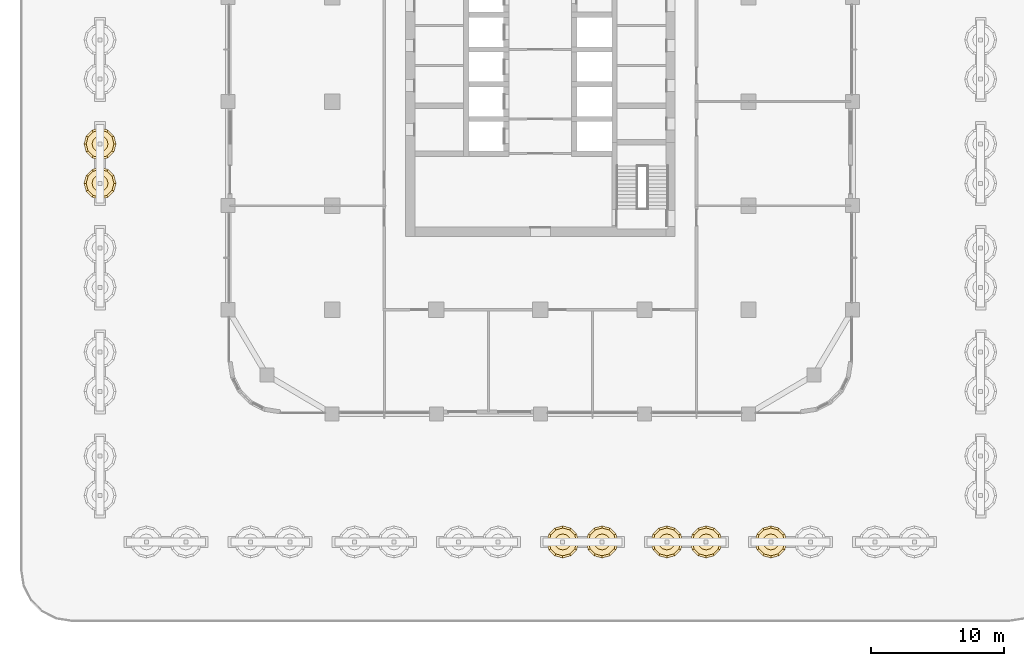
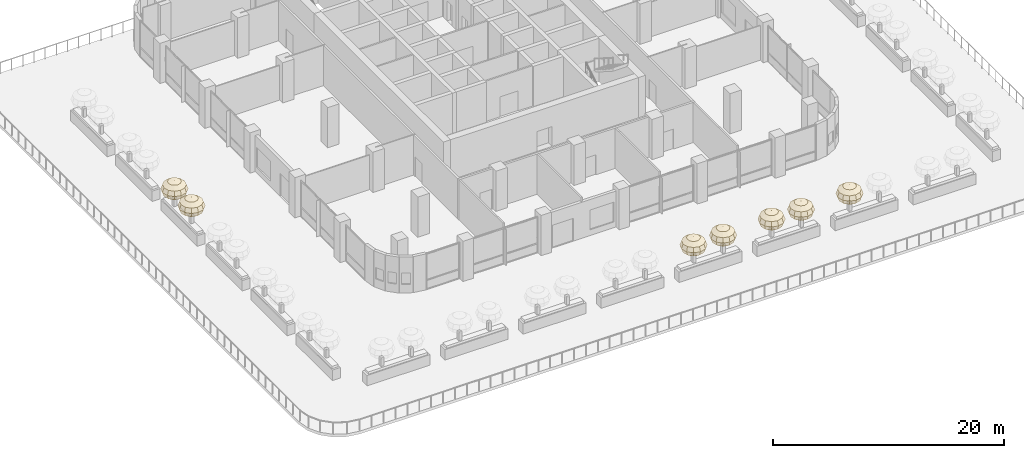
# One storey, part 28 of 31: 7 coverings.
"""IFC4 building model written with IfcOpenShell, lengths in metres."""

from ifc_helpers import new_model, si_unit, direction, frame, origin, place, context, subcontext, project, spatial, triangles, material, layer, layer_set, type_object, element, save


model = new_model("IFC4")

# Units and contexts
model_context = context("Model", 3, precision=1e-05, world=origin(), true_north=direction((0.0, 1.0)))
body_context = subcontext(model_context, "Body", "Model", "MODEL_VIEW")
ifc_project = project(units=[si_unit("LENGTHUNIT", "METRE"), si_unit("AREAUNIT", "SQUARE_METRE"), si_unit("VOLUMEUNIT", "CUBIC_METRE"), si_unit("PLANEANGLEUNIT", "RADIAN"), si_unit("MASSUNIT", "GRAM", prefix="KILO")], contexts=[model_context])

# Site, building, storey
site_placement = place(None, origin())
site = spatial("IfcSite", under=ifc_project, at=site_placement, CompositionType="ELEMENT")
building_placement = place(site_placement, origin())
building = spatial("IfcBuilding", under=site, at=building_placement, Name="Ludao Terraces", CompositionType="ELEMENT")
storey_placement = place(building_placement, frame((0.0, 0.0, 15.0)))
storey = spatial("IfcBuildingStorey", under=building, at=storey_placement, Name="L03", CompositionType="ELEMENT", Elevation=15.0)

# Coverings
ifc_material = material(Name="Planting")
ifc_layer = layer(ifc_material, 2.39990234375)
ifc_layer_set = layer_set([ifc_layer], Name="ENV Terrace tree crown 2400")
covering_type = type_object("IfcCoveringType", Name="ENV Terrace tree crown 2400", PredefinedType="USERDEFINED", material=ifc_layer_set)
covering_1_placement = place(storey_placement, frame((86.675048828125, 32.0, 3.14990234375)))
element("IfcCovering", 1, at=covering_1_placement, inside=storey, type_object=covering_type, Name="Terrace tree crown L03-T5.1", ObjectType="PLANTING", PredefinedType="USERDEFINED", context=body_context, shape_type="Tessellation", body=[
    triangles([(0.0, 0.0, 0.89990234375), (0.599853515625, 0.0, 0.779296875), (0.51953125, 0.300048828125, 0.779296875), (0.300048828125, 0.51953125, 0.779296875), (0.0, 0.599853515625, 0.779296875), (-0.300048828125, 0.51953125, 0.779296875), (-0.51953125, 0.300048828125, 0.779296875), (-0.599853515625, 0.0, 0.779296875), (-0.51953125, -0.300048828125, 0.779296875), (-0.300048828125, -0.51953125, 0.779296875), (0.0, -0.599853515625, 0.779296875), (0.300048828125, -0.51953125, 0.779296875), (0.51953125, -0.300048828125, 0.779296875), (1.039306640625, 0.0, 0.449951171875), (0.89990234375, 0.51953125, 0.449951171875), (0.51953125, 0.89990234375, 0.449951171875), (0.0, 1.039306640625, 0.449951171875), (-0.51953125, 0.89990234375, 0.449951171875), (-0.89990234375, 0.51953125, 0.449951171875), (-1.039306640625, 0.0, 0.449951171875), (-0.89990234375, -0.51953125, 0.449951171875), (-0.51953125, -0.89990234375, 0.449951171875), (0.0, -1.039306640625, 0.449951171875), (0.51953125, -0.89990234375, 0.449951171875), (0.89990234375, -0.51953125, 0.449951171875), (1.199951171875, 0.0, 0.0), (1.039306640625, 0.599853515625, 0.0), (0.60009765625, 1.039306640625, 0.0), (0.0, 1.199951171875, 0.0), (-0.599853515625, 1.039306640625, 0.0), (-1.039306640625, 0.599853515625, 0.0), (-1.199951171875, 0.0, 0.0), (-1.039306640625, -0.599853515625, 0.0), (-0.60009765625, -1.039306640625, 0.0), (0.0, -1.199951171875, 0.0), (0.60009765625, -1.039306640625, 0.0), (1.039306640625, -0.60009765625, 0.0), (1.039306640625, 0.0, -0.449951171875), (0.89990234375, 0.51953125, -0.449951171875), (0.51953125, 0.89990234375, -0.449951171875), (0.0, 1.039306640625, -0.449951171875), (-0.51953125, 0.89990234375, -0.449951171875), (-0.89990234375, 0.51953125, -0.449951171875), (-1.039306640625, 0.0, -0.449951171875), (-0.89990234375, -0.51953125, -0.449951171875), (-0.51953125, -0.89990234375, -0.449951171875), (0.0, -1.039306640625, -0.449951171875), (0.51953125, -0.89990234375, -0.449951171875), (0.89990234375, -0.51953125, -0.449951171875), (0.599853515625, 0.0, -0.779296875), (0.51953125, 0.300048828125, -0.779296875), (0.300048828125, 0.51953125, -0.779296875), (0.0, 0.599853515625, -0.779296875), (-0.300048828125, 0.51953125, -0.779296875), (-0.51953125, 0.300048828125, -0.779296875), (-0.599853515625, 0.0, -0.779296875), (-0.51953125, -0.300048828125, -0.779296875), (-0.300048828125, -0.51953125, -0.779296875), (0.0, -0.599853515625, -0.779296875), (0.300048828125, -0.51953125, -0.779296875), (0.51953125, -0.300048828125, -0.779296875), (0.0, 0.0, -0.89990234375)], [[1, 2, 3], [1, 3, 4], [1, 4, 5], [1, 5, 6], [1, 6, 7], [1, 7, 8], [1, 8, 9], [1, 9, 10], [1, 10, 11], [1, 11, 12], [1, 12, 13], [1, 13, 2], [2, 14, 15], [2, 15, 3], [3, 15, 16], [3, 16, 4], [4, 16, 17], [4, 17, 5], [5, 17, 18], [5, 18, 6], [6, 18, 19], [6, 19, 7], [7, 19, 20], [7, 20, 8], [8, 20, 21], [8, 21, 9], [9, 21, 22], [9, 22, 10], [10, 22, 23], [10, 23, 11], [11, 23, 24], [11, 24, 12], [12, 24, 25], [12, 25, 13], [13, 25, 14], [13, 14, 2], [14, 26, 27], [14, 27, 15], [15, 27, 28], [15, 28, 16], [16, 28, 29], [16, 29, 17], [17, 29, 30], [17, 30, 18], [18, 30, 31], [18, 31, 19], [19, 31, 32], [19, 32, 20], [20, 32, 33], [20, 33, 21], [21, 33, 34], [21, 34, 22], [22, 34, 35], [22, 35, 23], [23, 35, 36], [23, 36, 24], [24, 36, 37], [24, 37, 25], [25, 37, 26], [25, 26, 14], [26, 38, 39], [26, 39, 27], [27, 39, 40], [27, 40, 28], [28, 40, 41], [28, 41, 29], [29, 41, 42], [29, 42, 30], [30, 42, 43], [30, 43, 31], [31, 43, 44], [31, 44, 32], [32, 44, 45], [32, 45, 33], [33, 45, 46], [33, 46, 34], [34, 46, 47], [34, 47, 35], [35, 47, 48], [35, 48, 36], [36, 48, 49], [36, 49, 37], [37, 49, 38], [37, 38, 26], [38, 50, 51], [38, 51, 39], [39, 51, 52], [39, 52, 40], [40, 52, 53], [40, 53, 41], [41, 53, 54], [41, 54, 42], [42, 54, 55], [42, 55, 43], [43, 55, 56], [43, 56, 44], [44, 56, 57], [44, 57, 45], [45, 57, 58], [45, 58, 46], [46, 58, 59], [46, 59, 47], [47, 59, 60], [47, 60, 48], [48, 60, 61], [48, 61, 49], [49, 61, 50], [49, 50, 38], [62, 51, 50], [62, 52, 51], [62, 53, 52], [62, 54, 53], [62, 55, 54], [62, 56, 55], [62, 57, 56], [62, 58, 57], [62, 59, 58], [62, 60, 59], [62, 61, 60], [62, 50, 61]], closed=True),
])
covering_2_placement = place(storey_placement, frame((89.625, 32.0, 3.14990234375)))
element("IfcCovering", 2, at=covering_2_placement, inside=storey, type_object=covering_type, Name="Terrace tree crown L03-T5.2", ObjectType="PLANTING", PredefinedType="USERDEFINED", context=body_context, shape_type="Tessellation", body=[
    triangles([(0.0, 0.0, 0.89990234375), (0.599853515625, 0.0, 0.779296875), (0.51953125, 0.300048828125, 0.779296875), (0.300048828125, 0.51953125, 0.779296875), (0.0, 0.599853515625, 0.779296875), (-0.300048828125, 0.51953125, 0.779296875), (-0.51953125, 0.300048828125, 0.779296875), (-0.599853515625, 0.0, 0.779296875), (-0.51953125, -0.300048828125, 0.779296875), (-0.300048828125, -0.51953125, 0.779296875), (0.0, -0.599853515625, 0.779296875), (0.300048828125, -0.51953125, 0.779296875), (0.51953125, -0.300048828125, 0.779296875), (1.039306640625, 0.0, 0.449951171875), (0.89990234375, 0.51953125, 0.449951171875), (0.51953125, 0.89990234375, 0.449951171875), (0.0, 1.039306640625, 0.449951171875), (-0.51953125, 0.89990234375, 0.449951171875), (-0.89990234375, 0.51953125, 0.449951171875), (-1.039306640625, 0.0, 0.449951171875), (-0.89990234375, -0.51953125, 0.449951171875), (-0.51953125, -0.89990234375, 0.449951171875), (0.0, -1.039306640625, 0.449951171875), (0.51953125, -0.89990234375, 0.449951171875), (0.89990234375, -0.51953125, 0.449951171875), (1.199951171875, 0.0, 0.0), (1.039306640625, 0.599853515625, 0.0), (0.60009765625, 1.039306640625, 0.0), (0.0, 1.199951171875, 0.0), (-0.599853515625, 1.039306640625, 0.0), (-1.039306640625, 0.599853515625, 0.0), (-1.199951171875, 0.0, 0.0), (-1.039306640625, -0.599853515625, 0.0), (-0.60009765625, -1.039306640625, 0.0), (0.0, -1.199951171875, 0.0), (0.60009765625, -1.039306640625, 0.0), (1.039306640625, -0.60009765625, 0.0), (1.039306640625, 0.0, -0.449951171875), (0.89990234375, 0.51953125, -0.449951171875), (0.51953125, 0.89990234375, -0.449951171875), (0.0, 1.039306640625, -0.449951171875), (-0.51953125, 0.89990234375, -0.449951171875), (-0.89990234375, 0.51953125, -0.449951171875), (-1.039306640625, 0.0, -0.449951171875), (-0.89990234375, -0.51953125, -0.449951171875), (-0.51953125, -0.89990234375, -0.449951171875), (0.0, -1.039306640625, -0.449951171875), (0.51953125, -0.89990234375, -0.449951171875), (0.89990234375, -0.51953125, -0.449951171875), (0.599853515625, 0.0, -0.779296875), (0.51953125, 0.300048828125, -0.779296875), (0.300048828125, 0.51953125, -0.779296875), (0.0, 0.599853515625, -0.779296875), (-0.300048828125, 0.51953125, -0.779296875), (-0.51953125, 0.300048828125, -0.779296875), (-0.599853515625, 0.0, -0.779296875), (-0.51953125, -0.300048828125, -0.779296875), (-0.300048828125, -0.51953125, -0.779296875), (0.0, -0.599853515625, -0.779296875), (0.300048828125, -0.51953125, -0.779296875), (0.51953125, -0.300048828125, -0.779296875), (0.0, 0.0, -0.89990234375)], [[1, 2, 3], [1, 3, 4], [1, 4, 5], [1, 5, 6], [1, 6, 7], [1, 7, 8], [1, 8, 9], [1, 9, 10], [1, 10, 11], [1, 11, 12], [1, 12, 13], [1, 13, 2], [2, 14, 15], [2, 15, 3], [3, 15, 16], [3, 16, 4], [4, 16, 17], [4, 17, 5], [5, 17, 18], [5, 18, 6], [6, 18, 19], [6, 19, 7], [7, 19, 20], [7, 20, 8], [8, 20, 21], [8, 21, 9], [9, 21, 22], [9, 22, 10], [10, 22, 23], [10, 23, 11], [11, 23, 24], [11, 24, 12], [12, 24, 25], [12, 25, 13], [13, 25, 14], [13, 14, 2], [14, 26, 27], [14, 27, 15], [15, 27, 28], [15, 28, 16], [16, 28, 29], [16, 29, 17], [17, 29, 30], [17, 30, 18], [18, 30, 31], [18, 31, 19], [19, 31, 32], [19, 32, 20], [20, 32, 33], [20, 33, 21], [21, 33, 34], [21, 34, 22], [22, 34, 35], [22, 35, 23], [23, 35, 36], [23, 36, 24], [24, 36, 37], [24, 37, 25], [25, 37, 26], [25, 26, 14], [26, 38, 39], [26, 39, 27], [27, 39, 40], [27, 40, 28], [28, 40, 41], [28, 41, 29], [29, 41, 42], [29, 42, 30], [30, 42, 43], [30, 43, 31], [31, 43, 44], [31, 44, 32], [32, 44, 45], [32, 45, 33], [33, 45, 46], [33, 46, 34], [34, 46, 47], [34, 47, 35], [35, 47, 48], [35, 48, 36], [36, 48, 49], [36, 49, 37], [37, 49, 38], [37, 38, 26], [38, 50, 51], [38, 51, 39], [39, 51, 52], [39, 52, 40], [40, 52, 53], [40, 53, 41], [41, 53, 54], [41, 54, 42], [42, 54, 55], [42, 55, 43], [43, 55, 56], [43, 56, 44], [44, 56, 57], [44, 57, 45], [45, 57, 58], [45, 58, 46], [46, 58, 59], [46, 59, 47], [47, 59, 60], [47, 60, 48], [48, 60, 61], [48, 61, 49], [49, 61, 50], [49, 50, 38], [62, 51, 50], [62, 52, 51], [62, 53, 52], [62, 54, 53], [62, 55, 54], [62, 56, 55], [62, 57, 56], [62, 58, 57], [62, 59, 58], [62, 60, 59], [62, 61, 60], [62, 50, 61]], closed=True),
])
covering_3_placement = place(storey_placement, frame((94.47509765625, 32.0, 3.14990234375)))
element("IfcCovering", 3, at=covering_3_placement, inside=storey, type_object=covering_type, Name="Terrace tree crown L03-T6.1", ObjectType="PLANTING", PredefinedType="USERDEFINED", context=body_context, shape_type="Tessellation", body=[
    triangles([(0.0, 0.0, 0.89990234375), (0.599853515625, 0.0, 0.779296875), (0.51953125, 0.300048828125, 0.779296875), (0.300048828125, 0.51953125, 0.779296875), (0.0, 0.599853515625, 0.779296875), (-0.300048828125, 0.51953125, 0.779296875), (-0.51953125, 0.300048828125, 0.779296875), (-0.599853515625, 0.0, 0.779296875), (-0.51953125, -0.300048828125, 0.779296875), (-0.300048828125, -0.51953125, 0.779296875), (0.0, -0.599853515625, 0.779296875), (0.300048828125, -0.51953125, 0.779296875), (0.51953125, -0.300048828125, 0.779296875), (1.039306640625, 0.0, 0.449951171875), (0.89990234375, 0.51953125, 0.449951171875), (0.51953125, 0.89990234375, 0.449951171875), (0.0, 1.039306640625, 0.449951171875), (-0.51953125, 0.89990234375, 0.449951171875), (-0.89990234375, 0.51953125, 0.449951171875), (-1.039306640625, 0.0, 0.449951171875), (-0.89990234375, -0.51953125, 0.449951171875), (-0.51953125, -0.89990234375, 0.449951171875), (0.0, -1.039306640625, 0.449951171875), (0.51953125, -0.89990234375, 0.449951171875), (0.89990234375, -0.51953125, 0.449951171875), (1.199951171875, 0.0, 0.0), (1.039306640625, 0.599853515625, 0.0), (0.60009765625, 1.039306640625, 0.0), (0.0, 1.199951171875, 0.0), (-0.599853515625, 1.039306640625, 0.0), (-1.039306640625, 0.599853515625, 0.0), (-1.199951171875, 0.0, 0.0), (-1.039306640625, -0.599853515625, 0.0), (-0.60009765625, -1.039306640625, 0.0), (0.0, -1.199951171875, 0.0), (0.60009765625, -1.039306640625, 0.0), (1.039306640625, -0.60009765625, 0.0), (1.039306640625, 0.0, -0.449951171875), (0.89990234375, 0.51953125, -0.449951171875), (0.51953125, 0.89990234375, -0.449951171875), (0.0, 1.039306640625, -0.449951171875), (-0.51953125, 0.89990234375, -0.449951171875), (-0.89990234375, 0.51953125, -0.449951171875), (-1.039306640625, 0.0, -0.449951171875), (-0.89990234375, -0.51953125, -0.449951171875), (-0.51953125, -0.89990234375, -0.449951171875), (0.0, -1.039306640625, -0.449951171875), (0.51953125, -0.89990234375, -0.449951171875), (0.89990234375, -0.51953125, -0.449951171875), (0.599853515625, 0.0, -0.779296875), (0.51953125, 0.300048828125, -0.779296875), (0.300048828125, 0.51953125, -0.779296875), (0.0, 0.599853515625, -0.779296875), (-0.300048828125, 0.51953125, -0.779296875), (-0.51953125, 0.300048828125, -0.779296875), (-0.599853515625, 0.0, -0.779296875), (-0.51953125, -0.300048828125, -0.779296875), (-0.300048828125, -0.51953125, -0.779296875), (0.0, -0.599853515625, -0.779296875), (0.300048828125, -0.51953125, -0.779296875), (0.51953125, -0.300048828125, -0.779296875), (0.0, 0.0, -0.89990234375)], [[1, 2, 3], [1, 3, 4], [1, 4, 5], [1, 5, 6], [1, 6, 7], [1, 7, 8], [1, 8, 9], [1, 9, 10], [1, 10, 11], [1, 11, 12], [1, 12, 13], [1, 13, 2], [2, 14, 15], [2, 15, 3], [3, 15, 16], [3, 16, 4], [4, 16, 17], [4, 17, 5], [5, 17, 18], [5, 18, 6], [6, 18, 19], [6, 19, 7], [7, 19, 20], [7, 20, 8], [8, 20, 21], [8, 21, 9], [9, 21, 22], [9, 22, 10], [10, 22, 23], [10, 23, 11], [11, 23, 24], [11, 24, 12], [12, 24, 25], [12, 25, 13], [13, 25, 14], [13, 14, 2], [14, 26, 27], [14, 27, 15], [15, 27, 28], [15, 28, 16], [16, 28, 29], [16, 29, 17], [17, 29, 30], [17, 30, 18], [18, 30, 31], [18, 31, 19], [19, 31, 32], [19, 32, 20], [20, 32, 33], [20, 33, 21], [21, 33, 34], [21, 34, 22], [22, 34, 35], [22, 35, 23], [23, 35, 36], [23, 36, 24], [24, 36, 37], [24, 37, 25], [25, 37, 26], [25, 26, 14], [26, 38, 39], [26, 39, 27], [27, 39, 40], [27, 40, 28], [28, 40, 41], [28, 41, 29], [29, 41, 42], [29, 42, 30], [30, 42, 43], [30, 43, 31], [31, 43, 44], [31, 44, 32], [32, 44, 45], [32, 45, 33], [33, 45, 46], [33, 46, 34], [34, 46, 47], [34, 47, 35], [35, 47, 48], [35, 48, 36], [36, 48, 49], [36, 49, 37], [37, 49, 38], [37, 38, 26], [38, 50, 51], [38, 51, 39], [39, 51, 52], [39, 52, 40], [40, 52, 53], [40, 53, 41], [41, 53, 54], [41, 54, 42], [42, 54, 55], [42, 55, 43], [43, 55, 56], [43, 56, 44], [44, 56, 57], [44, 57, 45], [45, 57, 58], [45, 58, 46], [46, 58, 59], [46, 59, 47], [47, 59, 60], [47, 60, 48], [48, 60, 61], [48, 61, 49], [49, 61, 50], [49, 50, 38], [62, 51, 50], [62, 52, 51], [62, 53, 52], [62, 54, 53], [62, 55, 54], [62, 56, 55], [62, 57, 56], [62, 58, 57], [62, 59, 58], [62, 60, 59], [62, 61, 60], [62, 50, 61]], closed=True),
])
covering_4_placement = place(storey_placement, frame((97.425048828125, 32.0, 3.14990234375)))
element("IfcCovering", 4, at=covering_4_placement, inside=storey, type_object=covering_type, Name="Terrace tree crown L03-T6.2", ObjectType="PLANTING", PredefinedType="USERDEFINED", context=body_context, shape_type="Tessellation", body=[
    triangles([(0.0, 0.0, 0.89990234375), (0.599853515625, 0.0, 0.779296875), (0.51953125, 0.300048828125, 0.779296875), (0.300048828125, 0.51953125, 0.779296875), (0.0, 0.599853515625, 0.779296875), (-0.300048828125, 0.51953125, 0.779296875), (-0.51953125, 0.300048828125, 0.779296875), (-0.599853515625, 0.0, 0.779296875), (-0.51953125, -0.300048828125, 0.779296875), (-0.300048828125, -0.51953125, 0.779296875), (0.0, -0.599853515625, 0.779296875), (0.300048828125, -0.51953125, 0.779296875), (0.51953125, -0.300048828125, 0.779296875), (1.039306640625, 0.0, 0.449951171875), (0.89990234375, 0.51953125, 0.449951171875), (0.51953125, 0.89990234375, 0.449951171875), (0.0, 1.039306640625, 0.449951171875), (-0.51953125, 0.89990234375, 0.449951171875), (-0.89990234375, 0.51953125, 0.449951171875), (-1.039306640625, 0.0, 0.449951171875), (-0.89990234375, -0.51953125, 0.449951171875), (-0.51953125, -0.89990234375, 0.449951171875), (0.0, -1.039306640625, 0.449951171875), (0.51953125, -0.89990234375, 0.449951171875), (0.89990234375, -0.51953125, 0.449951171875), (1.199951171875, 0.0, 0.0), (1.039306640625, 0.599853515625, 0.0), (0.60009765625, 1.039306640625, 0.0), (0.0, 1.199951171875, 0.0), (-0.599853515625, 1.039306640625, 0.0), (-1.039306640625, 0.599853515625, 0.0), (-1.199951171875, 0.0, 0.0), (-1.039306640625, -0.599853515625, 0.0), (-0.60009765625, -1.039306640625, 0.0), (0.0, -1.199951171875, 0.0), (0.60009765625, -1.039306640625, 0.0), (1.039306640625, -0.60009765625, 0.0), (1.039306640625, 0.0, -0.449951171875), (0.89990234375, 0.51953125, -0.449951171875), (0.51953125, 0.89990234375, -0.449951171875), (0.0, 1.039306640625, -0.449951171875), (-0.51953125, 0.89990234375, -0.449951171875), (-0.89990234375, 0.51953125, -0.449951171875), (-1.039306640625, 0.0, -0.449951171875), (-0.89990234375, -0.51953125, -0.449951171875), (-0.51953125, -0.89990234375, -0.449951171875), (0.0, -1.039306640625, -0.449951171875), (0.51953125, -0.89990234375, -0.449951171875), (0.89990234375, -0.51953125, -0.449951171875), (0.599853515625, 0.0, -0.779296875), (0.51953125, 0.300048828125, -0.779296875), (0.300048828125, 0.51953125, -0.779296875), (0.0, 0.599853515625, -0.779296875), (-0.300048828125, 0.51953125, -0.779296875), (-0.51953125, 0.300048828125, -0.779296875), (-0.599853515625, 0.0, -0.779296875), (-0.51953125, -0.300048828125, -0.779296875), (-0.300048828125, -0.51953125, -0.779296875), (0.0, -0.599853515625, -0.779296875), (0.300048828125, -0.51953125, -0.779296875), (0.51953125, -0.300048828125, -0.779296875), (0.0, 0.0, -0.89990234375)], [[1, 2, 3], [1, 3, 4], [1, 4, 5], [1, 5, 6], [1, 6, 7], [1, 7, 8], [1, 8, 9], [1, 9, 10], [1, 10, 11], [1, 11, 12], [1, 12, 13], [1, 13, 2], [2, 14, 15], [2, 15, 3], [3, 15, 16], [3, 16, 4], [4, 16, 17], [4, 17, 5], [5, 17, 18], [5, 18, 6], [6, 18, 19], [6, 19, 7], [7, 19, 20], [7, 20, 8], [8, 20, 21], [8, 21, 9], [9, 21, 22], [9, 22, 10], [10, 22, 23], [10, 23, 11], [11, 23, 24], [11, 24, 12], [12, 24, 25], [12, 25, 13], [13, 25, 14], [13, 14, 2], [14, 26, 27], [14, 27, 15], [15, 27, 28], [15, 28, 16], [16, 28, 29], [16, 29, 17], [17, 29, 30], [17, 30, 18], [18, 30, 31], [18, 31, 19], [19, 31, 32], [19, 32, 20], [20, 32, 33], [20, 33, 21], [21, 33, 34], [21, 34, 22], [22, 34, 35], [22, 35, 23], [23, 35, 36], [23, 36, 24], [24, 36, 37], [24, 37, 25], [25, 37, 26], [25, 26, 14], [26, 38, 39], [26, 39, 27], [27, 39, 40], [27, 40, 28], [28, 40, 41], [28, 41, 29], [29, 41, 42], [29, 42, 30], [30, 42, 43], [30, 43, 31], [31, 43, 44], [31, 44, 32], [32, 44, 45], [32, 45, 33], [33, 45, 46], [33, 46, 34], [34, 46, 47], [34, 47, 35], [35, 47, 48], [35, 48, 36], [36, 48, 49], [36, 49, 37], [37, 49, 38], [37, 38, 26], [38, 50, 51], [38, 51, 39], [39, 51, 52], [39, 52, 40], [40, 52, 53], [40, 53, 41], [41, 53, 54], [41, 54, 42], [42, 54, 55], [42, 55, 43], [43, 55, 56], [43, 56, 44], [44, 56, 57], [44, 57, 45], [45, 57, 58], [45, 58, 46], [46, 58, 59], [46, 59, 47], [47, 59, 60], [47, 60, 48], [48, 60, 61], [48, 61, 49], [49, 61, 50], [49, 50, 38], [62, 51, 50], [62, 52, 51], [62, 53, 52], [62, 54, 53], [62, 55, 54], [62, 56, 55], [62, 57, 56], [62, 58, 57], [62, 59, 58], [62, 60, 59], [62, 61, 60], [62, 50, 61]], closed=True),
])
covering_5_placement = place(storey_placement, frame((102.27490234375, 32.0, 3.14990234375)))
element("IfcCovering", 5, at=covering_5_placement, inside=storey, type_object=covering_type, Name="Terrace tree crown L03-T7.1", ObjectType="PLANTING", PredefinedType="USERDEFINED", context=body_context, shape_type="Tessellation", body=[
    triangles([(0.0, 0.0, 0.89990234375), (0.599853515625, 0.0, 0.779296875), (0.51953125, 0.300048828125, 0.779296875), (0.300048828125, 0.51953125, 0.779296875), (0.0, 0.599853515625, 0.779296875), (-0.300048828125, 0.51953125, 0.779296875), (-0.51953125, 0.300048828125, 0.779296875), (-0.599853515625, 0.0, 0.779296875), (-0.51953125, -0.300048828125, 0.779296875), (-0.300048828125, -0.51953125, 0.779296875), (0.0, -0.599853515625, 0.779296875), (0.300048828125, -0.51953125, 0.779296875), (0.51953125, -0.300048828125, 0.779296875), (1.039306640625, 0.0, 0.449951171875), (0.89990234375, 0.51953125, 0.449951171875), (0.51953125, 0.89990234375, 0.449951171875), (0.0, 1.039306640625, 0.449951171875), (-0.51953125, 0.89990234375, 0.449951171875), (-0.89990234375, 0.51953125, 0.449951171875), (-1.039306640625, 0.0, 0.449951171875), (-0.89990234375, -0.51953125, 0.449951171875), (-0.51953125, -0.89990234375, 0.449951171875), (0.0, -1.039306640625, 0.449951171875), (0.51953125, -0.89990234375, 0.449951171875), (0.89990234375, -0.51953125, 0.449951171875), (1.199951171875, 0.0, 0.0), (1.039306640625, 0.599853515625, 0.0), (0.60009765625, 1.039306640625, 0.0), (0.0, 1.199951171875, 0.0), (-0.599853515625, 1.039306640625, 0.0), (-1.039306640625, 0.599853515625, 0.0), (-1.199951171875, 0.0, 0.0), (-1.039306640625, -0.599853515625, 0.0), (-0.60009765625, -1.039306640625, 0.0), (0.0, -1.199951171875, 0.0), (0.60009765625, -1.039306640625, 0.0), (1.039306640625, -0.60009765625, 0.0), (1.039306640625, 0.0, -0.449951171875), (0.89990234375, 0.51953125, -0.449951171875), (0.51953125, 0.89990234375, -0.449951171875), (0.0, 1.039306640625, -0.449951171875), (-0.51953125, 0.89990234375, -0.449951171875), (-0.89990234375, 0.51953125, -0.449951171875), (-1.039306640625, 0.0, -0.449951171875), (-0.89990234375, -0.51953125, -0.449951171875), (-0.51953125, -0.89990234375, -0.449951171875), (0.0, -1.039306640625, -0.449951171875), (0.51953125, -0.89990234375, -0.449951171875), (0.89990234375, -0.51953125, -0.449951171875), (0.599853515625, 0.0, -0.779296875), (0.51953125, 0.300048828125, -0.779296875), (0.300048828125, 0.51953125, -0.779296875), (0.0, 0.599853515625, -0.779296875), (-0.300048828125, 0.51953125, -0.779296875), (-0.51953125, 0.300048828125, -0.779296875), (-0.599853515625, 0.0, -0.779296875), (-0.51953125, -0.300048828125, -0.779296875), (-0.300048828125, -0.51953125, -0.779296875), (0.0, -0.599853515625, -0.779296875), (0.300048828125, -0.51953125, -0.779296875), (0.51953125, -0.300048828125, -0.779296875), (0.0, 0.0, -0.89990234375)], [[1, 2, 3], [1, 3, 4], [1, 4, 5], [1, 5, 6], [1, 6, 7], [1, 7, 8], [1, 8, 9], [1, 9, 10], [1, 10, 11], [1, 11, 12], [1, 12, 13], [1, 13, 2], [2, 14, 15], [2, 15, 3], [3, 15, 16], [3, 16, 4], [4, 16, 17], [4, 17, 5], [5, 17, 18], [5, 18, 6], [6, 18, 19], [6, 19, 7], [7, 19, 20], [7, 20, 8], [8, 20, 21], [8, 21, 9], [9, 21, 22], [9, 22, 10], [10, 22, 23], [10, 23, 11], [11, 23, 24], [11, 24, 12], [12, 24, 25], [12, 25, 13], [13, 25, 14], [13, 14, 2], [14, 26, 27], [14, 27, 15], [15, 27, 28], [15, 28, 16], [16, 28, 29], [16, 29, 17], [17, 29, 30], [17, 30, 18], [18, 30, 31], [18, 31, 19], [19, 31, 32], [19, 32, 20], [20, 32, 33], [20, 33, 21], [21, 33, 34], [21, 34, 22], [22, 34, 35], [22, 35, 23], [23, 35, 36], [23, 36, 24], [24, 36, 37], [24, 37, 25], [25, 37, 26], [25, 26, 14], [26, 38, 39], [26, 39, 27], [27, 39, 40], [27, 40, 28], [28, 40, 41], [28, 41, 29], [29, 41, 42], [29, 42, 30], [30, 42, 43], [30, 43, 31], [31, 43, 44], [31, 44, 32], [32, 44, 45], [32, 45, 33], [33, 45, 46], [33, 46, 34], [34, 46, 47], [34, 47, 35], [35, 47, 48], [35, 48, 36], [36, 48, 49], [36, 49, 37], [37, 49, 38], [37, 38, 26], [38, 50, 51], [38, 51, 39], [39, 51, 52], [39, 52, 40], [40, 52, 53], [40, 53, 41], [41, 53, 54], [41, 54, 42], [42, 54, 55], [42, 55, 43], [43, 55, 56], [43, 56, 44], [44, 56, 57], [44, 57, 45], [45, 57, 58], [45, 58, 46], [46, 58, 59], [46, 59, 47], [47, 59, 60], [47, 60, 48], [48, 60, 61], [48, 61, 49], [49, 61, 50], [49, 50, 38], [62, 51, 50], [62, 52, 51], [62, 53, 52], [62, 54, 53], [62, 55, 54], [62, 56, 55], [62, 57, 56], [62, 58, 57], [62, 59, 58], [62, 60, 59], [62, 61, 60], [62, 50, 61]], closed=True),
])
covering_6_placement = place(storey_placement, frame((52.0, 58.875, 3.14990234375)))
element("IfcCovering", 6, at=covering_6_placement, inside=storey, type_object=covering_type, Name="Terrace tree crown L03-T12.1", ObjectType="PLANTING", PredefinedType="USERDEFINED", context=body_context, shape_type="Tessellation", body=[
    triangles([(0.0, 0.0, 0.89990234375), (0.599853515625, 0.0, 0.779296875), (0.51953125, 0.300048828125, 0.779296875), (0.300048828125, 0.51953125, 0.779296875), (0.0, 0.599853515625, 0.779296875), (-0.300048828125, 0.51953125, 0.779296875), (-0.51953125, 0.300048828125, 0.779296875), (-0.599853515625, 0.0, 0.779296875), (-0.51953125, -0.300048828125, 0.779296875), (-0.300048828125, -0.51953125, 0.779296875), (0.0, -0.599853515625, 0.779296875), (0.300048828125, -0.51953125, 0.779296875), (0.51953125, -0.300048828125, 0.779296875), (1.039306640625, 0.0, 0.449951171875), (0.89990234375, 0.51953125, 0.449951171875), (0.51953125, 0.89990234375, 0.449951171875), (0.0, 1.039306640625, 0.449951171875), (-0.51953125, 0.89990234375, 0.449951171875), (-0.89990234375, 0.51953125, 0.449951171875), (-1.039306640625, 0.0, 0.449951171875), (-0.89990234375, -0.51953125, 0.449951171875), (-0.51953125, -0.89990234375, 0.449951171875), (0.0, -1.039306640625, 0.449951171875), (0.51953125, -0.89990234375, 0.449951171875), (0.89990234375, -0.51953125, 0.449951171875), (1.199951171875, 0.0, 0.0), (1.039306640625, 0.599853515625, 0.0), (0.60009765625, 1.039306640625, 0.0), (0.0, 1.199951171875, 0.0), (-0.599853515625, 1.039306640625, 0.0), (-1.039306640625, 0.599853515625, 0.0), (-1.199951171875, 0.0, 0.0), (-1.039306640625, -0.599853515625, 0.0), (-0.60009765625, -1.039306640625, 0.0), (0.0, -1.199951171875, 0.0), (0.60009765625, -1.039306640625, 0.0), (1.039306640625, -0.60009765625, 0.0), (1.039306640625, 0.0, -0.449951171875), (0.89990234375, 0.51953125, -0.449951171875), (0.51953125, 0.89990234375, -0.449951171875), (0.0, 1.039306640625, -0.449951171875), (-0.51953125, 0.89990234375, -0.449951171875), (-0.89990234375, 0.51953125, -0.449951171875), (-1.039306640625, 0.0, -0.449951171875), (-0.89990234375, -0.51953125, -0.449951171875), (-0.51953125, -0.89990234375, -0.449951171875), (0.0, -1.039306640625, -0.449951171875), (0.51953125, -0.89990234375, -0.449951171875), (0.89990234375, -0.51953125, -0.449951171875), (0.599853515625, 0.0, -0.779296875), (0.51953125, 0.300048828125, -0.779296875), (0.300048828125, 0.51953125, -0.779296875), (0.0, 0.599853515625, -0.779296875), (-0.300048828125, 0.51953125, -0.779296875), (-0.51953125, 0.300048828125, -0.779296875), (-0.599853515625, 0.0, -0.779296875), (-0.51953125, -0.300048828125, -0.779296875), (-0.300048828125, -0.51953125, -0.779296875), (0.0, -0.599853515625, -0.779296875), (0.300048828125, -0.51953125, -0.779296875), (0.51953125, -0.300048828125, -0.779296875), (0.0, 0.0, -0.89990234375)], [[1, 2, 3], [1, 3, 4], [1, 4, 5], [1, 5, 6], [1, 6, 7], [1, 7, 8], [1, 8, 9], [1, 9, 10], [1, 10, 11], [1, 11, 12], [1, 12, 13], [1, 13, 2], [2, 14, 15], [2, 15, 3], [3, 15, 16], [3, 16, 4], [4, 16, 17], [4, 17, 5], [5, 17, 18], [5, 18, 6], [6, 18, 19], [6, 19, 7], [7, 19, 20], [7, 20, 8], [8, 20, 21], [8, 21, 9], [9, 21, 22], [9, 22, 10], [10, 22, 23], [10, 23, 11], [11, 23, 24], [11, 24, 12], [12, 24, 25], [12, 25, 13], [13, 25, 14], [13, 14, 2], [14, 26, 27], [14, 27, 15], [15, 27, 28], [15, 28, 16], [16, 28, 29], [16, 29, 17], [17, 29, 30], [17, 30, 18], [18, 30, 31], [18, 31, 19], [19, 31, 32], [19, 32, 20], [20, 32, 33], [20, 33, 21], [21, 33, 34], [21, 34, 22], [22, 34, 35], [22, 35, 23], [23, 35, 36], [23, 36, 24], [24, 36, 37], [24, 37, 25], [25, 37, 26], [25, 26, 14], [26, 38, 39], [26, 39, 27], [27, 39, 40], [27, 40, 28], [28, 40, 41], [28, 41, 29], [29, 41, 42], [29, 42, 30], [30, 42, 43], [30, 43, 31], [31, 43, 44], [31, 44, 32], [32, 44, 45], [32, 45, 33], [33, 45, 46], [33, 46, 34], [34, 46, 47], [34, 47, 35], [35, 47, 48], [35, 48, 36], [36, 48, 49], [36, 49, 37], [37, 49, 38], [37, 38, 26], [38, 50, 51], [38, 51, 39], [39, 51, 52], [39, 52, 40], [40, 52, 53], [40, 53, 41], [41, 53, 54], [41, 54, 42], [42, 54, 55], [42, 55, 43], [43, 55, 56], [43, 56, 44], [44, 56, 57], [44, 57, 45], [45, 57, 58], [45, 58, 46], [46, 58, 59], [46, 59, 47], [47, 59, 60], [47, 60, 48], [48, 60, 61], [48, 61, 49], [49, 61, 50], [49, 50, 38], [62, 51, 50], [62, 52, 51], [62, 53, 52], [62, 54, 53], [62, 55, 54], [62, 56, 55], [62, 57, 56], [62, 58, 57], [62, 59, 58], [62, 60, 59], [62, 61, 60], [62, 50, 61]], closed=True),
])
covering_7_placement = place(storey_placement, frame((52.0, 61.824951171875, 3.14990234375)))
element("IfcCovering", 7, at=covering_7_placement, inside=storey, type_object=covering_type, Name="Terrace tree crown L03-T12.2", ObjectType="PLANTING", PredefinedType="USERDEFINED", context=body_context, shape_type="Tessellation", body=[
    triangles([(0.0, 0.0, 0.89990234375), (0.599853515625, 0.0, 0.779296875), (0.51953125, 0.300048828125, 0.779296875), (0.300048828125, 0.51953125, 0.779296875), (0.0, 0.599853515625, 0.779296875), (-0.300048828125, 0.51953125, 0.779296875), (-0.51953125, 0.300048828125, 0.779296875), (-0.599853515625, 0.0, 0.779296875), (-0.51953125, -0.300048828125, 0.779296875), (-0.300048828125, -0.51953125, 0.779296875), (0.0, -0.599853515625, 0.779296875), (0.300048828125, -0.51953125, 0.779296875), (0.51953125, -0.300048828125, 0.779296875), (1.039306640625, 0.0, 0.449951171875), (0.89990234375, 0.51953125, 0.449951171875), (0.51953125, 0.89990234375, 0.449951171875), (0.0, 1.039306640625, 0.449951171875), (-0.51953125, 0.89990234375, 0.449951171875), (-0.89990234375, 0.51953125, 0.449951171875), (-1.039306640625, 0.0, 0.449951171875), (-0.89990234375, -0.51953125, 0.449951171875), (-0.51953125, -0.89990234375, 0.449951171875), (0.0, -1.039306640625, 0.449951171875), (0.51953125, -0.89990234375, 0.449951171875), (0.89990234375, -0.51953125, 0.449951171875), (1.199951171875, 0.0, 0.0), (1.039306640625, 0.599853515625, 0.0), (0.60009765625, 1.039306640625, 0.0), (0.0, 1.199951171875, 0.0), (-0.599853515625, 1.039306640625, 0.0), (-1.039306640625, 0.599853515625, 0.0), (-1.199951171875, 0.0, 0.0), (-1.039306640625, -0.599853515625, 0.0), (-0.60009765625, -1.039306640625, 0.0), (0.0, -1.199951171875, 0.0), (0.60009765625, -1.039306640625, 0.0), (1.039306640625, -0.60009765625, 0.0), (1.039306640625, 0.0, -0.449951171875), (0.89990234375, 0.51953125, -0.449951171875), (0.51953125, 0.89990234375, -0.449951171875), (0.0, 1.039306640625, -0.449951171875), (-0.51953125, 0.89990234375, -0.449951171875), (-0.89990234375, 0.51953125, -0.449951171875), (-1.039306640625, 0.0, -0.449951171875), (-0.89990234375, -0.51953125, -0.449951171875), (-0.51953125, -0.89990234375, -0.449951171875), (0.0, -1.039306640625, -0.449951171875), (0.51953125, -0.89990234375, -0.449951171875), (0.89990234375, -0.51953125, -0.449951171875), (0.599853515625, 0.0, -0.779296875), (0.51953125, 0.300048828125, -0.779296875), (0.300048828125, 0.51953125, -0.779296875), (0.0, 0.599853515625, -0.779296875), (-0.300048828125, 0.51953125, -0.779296875), (-0.51953125, 0.300048828125, -0.779296875), (-0.599853515625, 0.0, -0.779296875), (-0.51953125, -0.300048828125, -0.779296875), (-0.300048828125, -0.51953125, -0.779296875), (0.0, -0.599853515625, -0.779296875), (0.300048828125, -0.51953125, -0.779296875), (0.51953125, -0.300048828125, -0.779296875), (0.0, 0.0, -0.89990234375)], [[1, 2, 3], [1, 3, 4], [1, 4, 5], [1, 5, 6], [1, 6, 7], [1, 7, 8], [1, 8, 9], [1, 9, 10], [1, 10, 11], [1, 11, 12], [1, 12, 13], [1, 13, 2], [2, 14, 15], [2, 15, 3], [3, 15, 16], [3, 16, 4], [4, 16, 17], [4, 17, 5], [5, 17, 18], [5, 18, 6], [6, 18, 19], [6, 19, 7], [7, 19, 20], [7, 20, 8], [8, 20, 21], [8, 21, 9], [9, 21, 22], [9, 22, 10], [10, 22, 23], [10, 23, 11], [11, 23, 24], [11, 24, 12], [12, 24, 25], [12, 25, 13], [13, 25, 14], [13, 14, 2], [14, 26, 27], [14, 27, 15], [15, 27, 28], [15, 28, 16], [16, 28, 29], [16, 29, 17], [17, 29, 30], [17, 30, 18], [18, 30, 31], [18, 31, 19], [19, 31, 32], [19, 32, 20], [20, 32, 33], [20, 33, 21], [21, 33, 34], [21, 34, 22], [22, 34, 35], [22, 35, 23], [23, 35, 36], [23, 36, 24], [24, 36, 37], [24, 37, 25], [25, 37, 26], [25, 26, 14], [26, 38, 39], [26, 39, 27], [27, 39, 40], [27, 40, 28], [28, 40, 41], [28, 41, 29], [29, 41, 42], [29, 42, 30], [30, 42, 43], [30, 43, 31], [31, 43, 44], [31, 44, 32], [32, 44, 45], [32, 45, 33], [33, 45, 46], [33, 46, 34], [34, 46, 47], [34, 47, 35], [35, 47, 48], [35, 48, 36], [36, 48, 49], [36, 49, 37], [37, 49, 38], [37, 38, 26], [38, 50, 51], [38, 51, 39], [39, 51, 52], [39, 52, 40], [40, 52, 53], [40, 53, 41], [41, 53, 54], [41, 54, 42], [42, 54, 55], [42, 55, 43], [43, 55, 56], [43, 56, 44], [44, 56, 57], [44, 57, 45], [45, 57, 58], [45, 58, 46], [46, 58, 59], [46, 59, 47], [47, 59, 60], [47, 60, 48], [48, 60, 61], [48, 61, 49], [49, 61, 50], [49, 50, 38], [62, 51, 50], [62, 52, 51], [62, 53, 52], [62, 54, 53], [62, 55, 54], [62, 56, 55], [62, 57, 56], [62, 58, 57], [62, 59, 58], [62, 60, 59], [62, 61, 60], [62, 50, 61]], closed=True),
])

save(model, "model.ifc")
